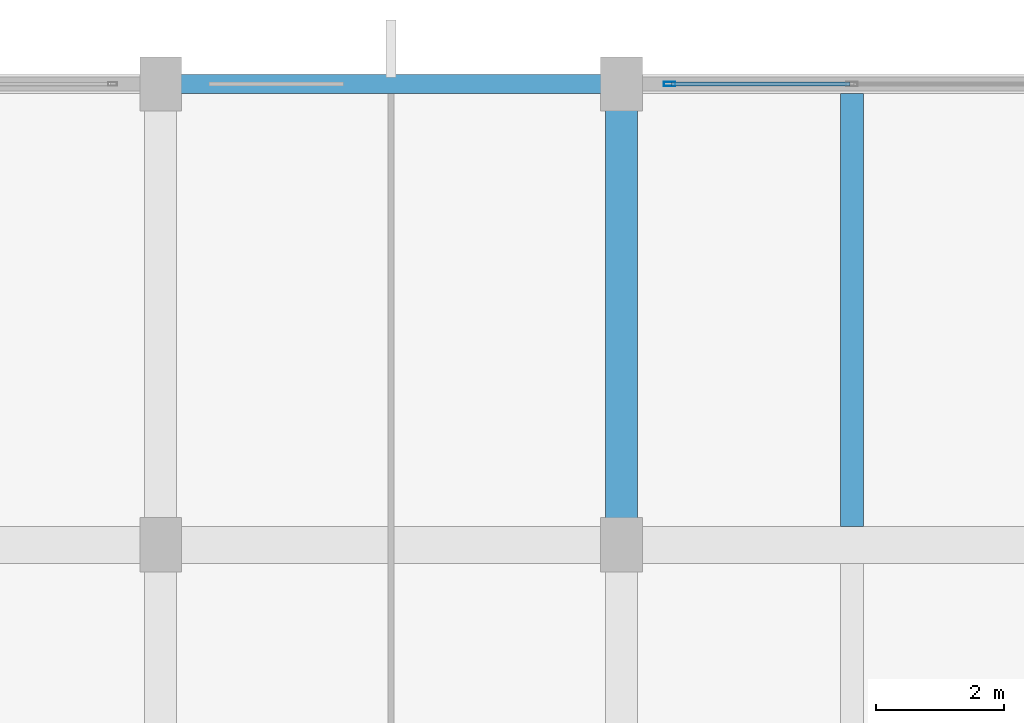
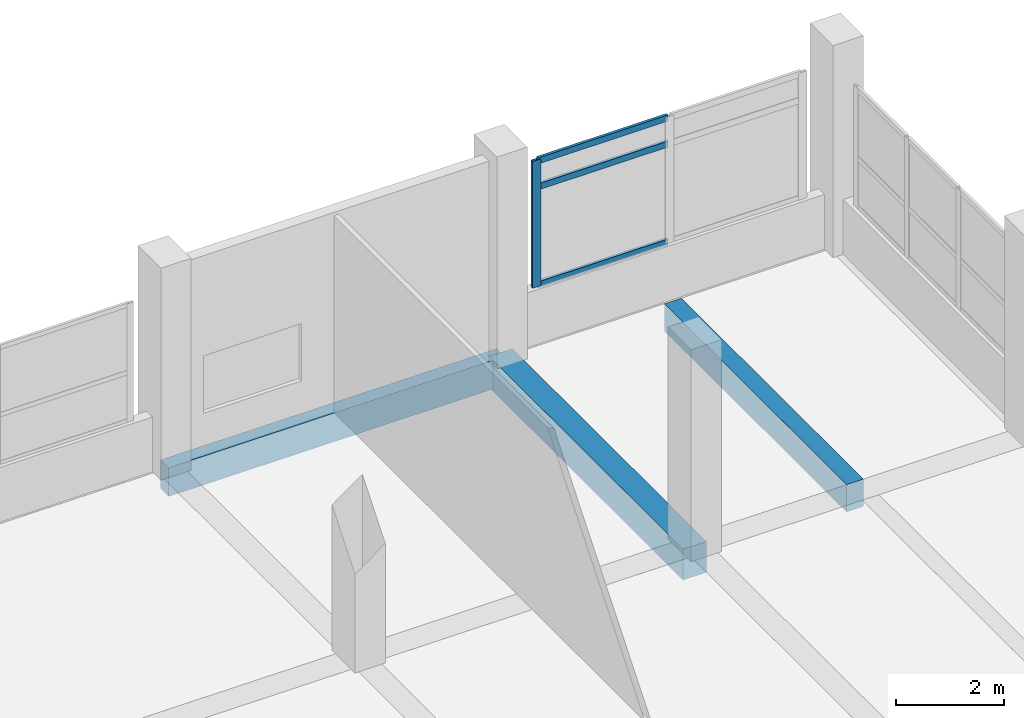
# One storey, part 109 of 140: 4 members, 3 beams, 1 element without a shape of its own.
"""IFC4 building model written with IfcOpenShell, lengths in metres."""

from ifc_helpers import new_model, si_unit, direction, frame, origin, origin_2d, place, context, subcontext, project, spatial, rectangle, hollow_rectangle, extrude, material, layer, layer_set, material_profile, profile_set, type_object, element, aggregate, save


model = new_model("IFC4")

# Units and contexts
model_context = context("Model", 3, precision=1e-05, world=origin(), true_north=direction((0.0, 1.0)))
body_context = subcontext(model_context, "Body", "Model", "MODEL_VIEW")
ifc_project = project(units=[si_unit("LENGTHUNIT", "METRE"), si_unit("AREAUNIT", "SQUARE_METRE"), si_unit("VOLUMEUNIT", "CUBIC_METRE"), si_unit("PLANEANGLEUNIT", "RADIAN"), si_unit("MASSUNIT", "GRAM", prefix="KILO")], contexts=[model_context])

# Site, building, storey
site_placement = place(None, origin())
site = spatial("IfcSite", under=ifc_project, at=site_placement, CompositionType="ELEMENT")
building_placement = place(site_placement, origin())
building = spatial("IfcBuilding", under=site, at=building_placement, Name="Seraya Terrace Polytechnic", CompositionType="ELEMENT")
storey_placement = place(building_placement, frame((0.0, 0.0, 9.60009765625)))
storey = spatial("IfcBuildingStorey", under=building, at=storey_placement, Name="L02", CompositionType="ELEMENT", Elevation=9.60009765625)

# Beam
ifc_material_1 = material(Name="Concrete C40/50", Category="concrete")
ifc_material_profile_1 = material_profile(ifc_material_1, rectangle(XDim=0.5, YDim=0.699951171875, at=origin_2d()), Name="RC 500x700")
ifc_profile_set_1 = profile_set([ifc_material_profile_1], Name="Concrete C40/50")
beam_type_1 = type_object("IfcBeamType", Name="BM-07", PredefinedType="BEAM", material=ifc_profile_set_1)
beam_1_placement = place(storey_placement, frame((151.199951171875, 108.0, -0.35009765625), z_axis=(0.0, 1.0, 0.0), x_axis=(-1.0, 0.0, 0.0)))
element("IfcBeam", 1, at=beam_1_placement, inside=storey, type_object=beam_type_1, Name="Beam BM-07 L02 Y (151.2, 108.0..115.2)", PredefinedType="BEAM", context=body_context, shape_type="SweptSolid", body=[
    extrude(rectangle(XDim=0.5, YDim=0.699951171875, at=origin_2d()), origin(), (0.0, 0.0, 1.0), 7.199951171875),
])

# Curtain wall, members
ifc_material_2 = material(Name="Anodised aluminium EN AW-6063 T6", Category="aluminium")
ifc_layer = layer(ifc_material_2, 0.179931640625, Name="CW-25")
ifc_layer_set = layer_set([ifc_layer], Name="Anodised aluminium EN AW-6063 T6")
curtain_wall_type = type_object("IfcCurtainWallType", Name="CW-25", PredefinedType="NOTDEFINED", material=ifc_layer_set)
curtain_wall_placement = place(storey_placement, origin())
curtain_wall = element("IfcCurtainWall", 2, at=curtain_wall_placement, inside=storey, type_object=curtain_wall_type, Name="Unitised curtain wall CW-25 (CW-L02-097)", PredefinedType="NOTDEFINED")
ifc_material_profile_2 = material_profile(ifc_material_2, hollow_rectangle(XDim=0.06494140625, YDim=0.179931640625, WallThickness=0.00390625, at=origin_2d()), Name="RHS 180x65x4.0")
ifc_profile_set_2 = profile_set([ifc_material_profile_2], Name="Anodised aluminium EN AW-6063 T6")
member_type_1 = type_object("IfcMemberType", Name="CWM-01", PredefinedType="MULLION", material=ifc_profile_set_2)
member_1_placement = place(storey_placement, frame((151.952392578125, 115.199951171875, 1.239990234375), z_axis=(0.0, 0.0, 1.0), x_axis=(0.0, 1.0, 0.0)))
member_1 = element("IfcMember", 3, at=member_1_placement, type_object=member_type_1, Name="CW-25 mullion 1", PredefinedType="MULLION", context=body_context, shape_type="SweptSolid", body=[
    extrude(hollow_rectangle(XDim=0.06494140625, YDim=0.179931640625, WallThickness=0.00390625, at=origin_2d()), origin(), (0.0, 0.0, 1.0), 2.869873046875),
])
ifc_material_profile_3 = material_profile(ifc_material_2, hollow_rectangle(XDim=0.06005859375, YDim=0.139892578125, WallThickness=0.00341796875, at=origin_2d()), Name="RHS 140x60x3.5")
ifc_profile_set_3 = profile_set([ifc_material_profile_3], Name="Anodised aluminium EN AW-6063 T6")
member_type_2 = type_object("IfcMemberType", Name="CWT-01", PredefinedType="USERDEFINED", material=ifc_profile_set_3)
member_2_placement = place(storey_placement, frame((151.985107421875, 115.199951171875, 1.27001953125), z_axis=(1.0, 0.0, 0.0), x_axis=(0.0, 1.0, 0.0)))
member_2 = element("IfcMember", 4, at=member_2_placement, type_object=member_type_2, Name="CW-25 transom 1.1", ObjectType="TRANSOM", PredefinedType="USERDEFINED", context=body_context, shape_type="SweptSolid", body=[
    extrude(hollow_rectangle(XDim=0.06005859375, YDim=0.139892578125, WallThickness=0.00341796875, at=origin_2d()), origin(), (0.0, 0.0, 1.0), 2.782470703125),
])
member_3_placement = place(storey_placement, frame((151.985107421875, 115.199951171875, 3.489990234375), z_axis=(1.0, 0.0, 0.0), x_axis=(0.0, 1.0, 0.0)))
member_3 = element("IfcMember", 5, at=member_3_placement, type_object=member_type_2, Name="CW-25 transom 1.2", ObjectType="TRANSOM", PredefinedType="USERDEFINED", context=body_context, shape_type="SweptSolid", body=[
    extrude(hollow_rectangle(XDim=0.06005859375, YDim=0.139892578125, WallThickness=0.00341796875, at=origin_2d()), origin(), (0.0, 0.0, 1.0), 2.782470703125),
])
member_4_placement = place(storey_placement, frame((151.985107421875, 115.199951171875, 4.079833984375), z_axis=(1.0, 0.0, 0.0), x_axis=(0.0, 1.0, 0.0)))
member_4 = element("IfcMember", 6, at=member_4_placement, type_object=member_type_2, Name="CW-25 transom 1.3", ObjectType="TRANSOM", PredefinedType="USERDEFINED", context=body_context, shape_type="SweptSolid", body=[
    extrude(hollow_rectangle(XDim=0.06005859375, YDim=0.139892578125, WallThickness=0.00341796875, at=origin_2d()), origin(), (0.0, 0.0, 1.0), 2.782470703125),
])
aggregate(curtain_wall, [member_1, member_2, member_3, member_4])

# Beams
ifc_material_profile_4 = material_profile(ifc_material_1, rectangle(XDim=0.360107421875, YDim=0.6201171875, at=origin_2d()), Name="RC 360x620")
ifc_profile_set_4 = profile_set([ifc_material_profile_4], Name="Concrete C40/50")
beam_type_2 = type_object("IfcBeamType", Name="JS-01", PredefinedType="JOIST", material=ifc_profile_set_4)
beam_2_placement = place(storey_placement, frame((154.800048828125, 108.2900390625, -0.31005859375), z_axis=(0.0, 1.0, 0.0), x_axis=(-1.0, 0.0, 0.0)))
element("IfcBeam", 7, at=beam_2_placement, inside=storey, type_object=beam_type_2, Name="Secondary joist JS-01 L02", PredefinedType="JOIST", context=body_context, shape_type="SweptSolid", body=[
    extrude(rectangle(XDim=0.360107421875, YDim=0.6201171875, at=origin_2d()), origin(), (0.0, 0.0, 1.0), 6.760009765625),
])
ifc_material_profile_5 = material_profile(ifc_material_1, rectangle(XDim=0.300048828125, YDim=0.64990234375, at=origin_2d()), Name="RC 300x650")
ifc_profile_set_5 = profile_set([ifc_material_profile_5], Name="Concrete C40/50")
beam_type_3 = type_object("IfcBeamType", Name="SP-01", PredefinedType="SPANDREL", material=ifc_profile_set_5)
beam_3_placement = place(storey_placement, frame((144.0, 115.199951171875, -0.3251953125), z_axis=(1.0, 0.0, 0.0), x_axis=(0.0, 1.0, 0.0)))
element("IfcBeam", 8, at=beam_3_placement, inside=storey, type_object=beam_type_3, Name="Beam SP-01 L02 X (144.0..151.2, 115.2)", PredefinedType="SPANDREL", context=body_context, shape_type="SweptSolid", body=[
    extrude(rectangle(XDim=0.300048828125, YDim=0.64990234375, at=origin_2d()), origin(), (0.0, 0.0, 1.0), 7.199951171875),
])

save(model, "model.ifc")
